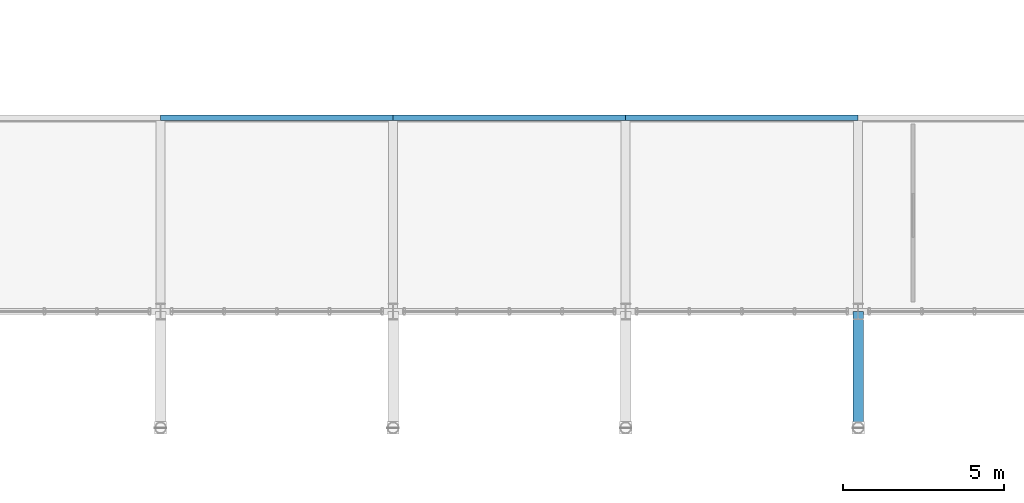
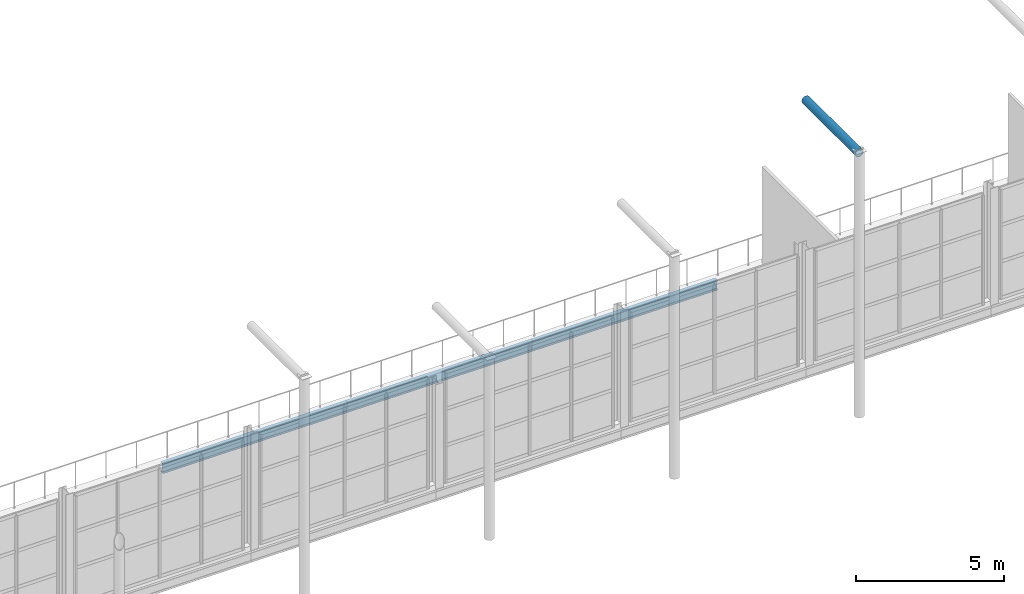
# One storey, part 24 of 143: 4 beams.
"""IFC4 building model written with IfcOpenShell, lengths in metres."""

from ifc_helpers import new_model, si_unit, derived_unit, direction, frame, origin, origin_2d, place, context, subcontext, project, spatial, hollow_circle, i_section, extrude, material, material_profile, profile_set, type_object, element, save


model = new_model("IFC4")

# Units and contexts
model_context = context("Model", 3, precision=1e-05, world=origin(), true_north=direction((0.0, 1.0)))
body_context = subcontext(model_context, "Body", "Model", "MODEL_VIEW")
ifc_project = project(units=[si_unit("LENGTHUNIT", "METRE"), si_unit("AREAUNIT", "SQUARE_METRE"), si_unit("VOLUMEUNIT", "CUBIC_METRE"), si_unit("PLANEANGLEUNIT", "RADIAN"), si_unit("MASSUNIT", "GRAM", prefix="KILO"), derived_unit("THERMALTRANSMITTANCEUNIT", [(si_unit("POWERUNIT", "WATT"), 1), (si_unit("LENGTHUNIT", "METRE"), -2), (si_unit("THERMODYNAMICTEMPERATUREUNIT", "KELVIN"), -1)])], contexts=[model_context])

# Site, building, storey
site_placement = place(None, origin())
site = spatial("IfcSite", under=ifc_project, at=site_placement, CompositionType="ELEMENT")
building_placement = place(site_placement, origin())
building = spatial("IfcBuilding", under=site, at=building_placement, Name="Keldorne Ridge Multi-Sports Centre", CompositionType="ELEMENT")
storey_placement = place(building_placement, frame((0.0, 0.0, 4.800048828125)))
storey = spatial("IfcBuildingStorey", under=building, at=storey_placement, Name="L01", CompositionType="ELEMENT", Elevation=4.800048828125)

# Beams
ifc_material = material(Name="Steel S355", Category="steel")
ifc_material_profile_1 = material_profile(ifc_material, i_section(OverallWidth=0.179931640625, OverallDepth=0.39990234375, WebThickness=0.008544921875, FlangeThickness=0.013427734375, FilletRadius=0.02099609375, at=origin_2d()), Name="IPE 400")
ifc_profile_set_1 = profile_set([ifc_material_profile_1], Name="Steel S355")
beam_type_1 = type_object("IfcBeamType", Name="BM-B-04", PredefinedType="BEAM", material=ifc_profile_set_1)
for number, where, z_axis, x_axis, name in (
    (1, (34.800048828125, 15.60009765625, -0.420166015625), (1.0, 0.0, 0.0), (0.0, 1.0, 0.0), "L01 mezzanine north beam 5"),
    (2, (42.0, 15.60009765625, -0.420166015625), (1.0, 0.0, 0.0), (0.0, 1.0, 0.0), "L01 mezzanine north beam 6"),
    (3, (49.199951171875, 15.60009765625, -0.420166015625), (1.0, 0.0, 0.0), (0.0, 1.0, 0.0), "L01 mezzanine north beam 7"),
):
    element("IfcBeam", number, at=place(storey_placement, frame(where, z_axis=z_axis, x_axis=x_axis)), inside=storey, type_object=beam_type_1, Name=name, PredefinedType="BEAM", context=body_context, shape_type="SweptSolid", body=[
        extrude(i_section(OverallWidth=0.179931640625, OverallDepth=0.39990234375, WebThickness=0.008544921875, FlangeThickness=0.013427734375, FilletRadius=0.02099609375, at=origin_2d()), origin(), (0.0, 0.0, 1.0), 7.199951171875),
    ])
ifc_material_profile_2 = material_profile(ifc_material, hollow_circle(Radius=0.161865234375, WallThickness=0.01611328125, at=origin_2d()), Name="CHS 323.9x16")
ifc_profile_set_2 = profile_set([ifc_material_profile_2], Name="Steel S355")
beam_type_2 = type_object("IfcBeamType", Name="BM-B-19", PredefinedType="BEAM", material=ifc_profile_set_2)
beam_placement = place(storey_placement, frame((56.39990234375, 9.60009765625, 10.7900390625), z_axis=(0.0, -1.0, 0.0), x_axis=(1.0, 0.0, 0.0)))
element("IfcBeam", 4, at=beam_placement, inside=storey, type_object=beam_type_2, Name="Colonnade eave rafter 08", PredefinedType="BEAM", context=body_context, shape_type="SweptSolid", body=[
    extrude(hollow_circle(Radius=0.161865234375, WallThickness=0.01611328125, at=origin_2d()), origin(), (0.0, 0.0, 1.0), 3.60009765625),
])

save(model, "model.ifc")
